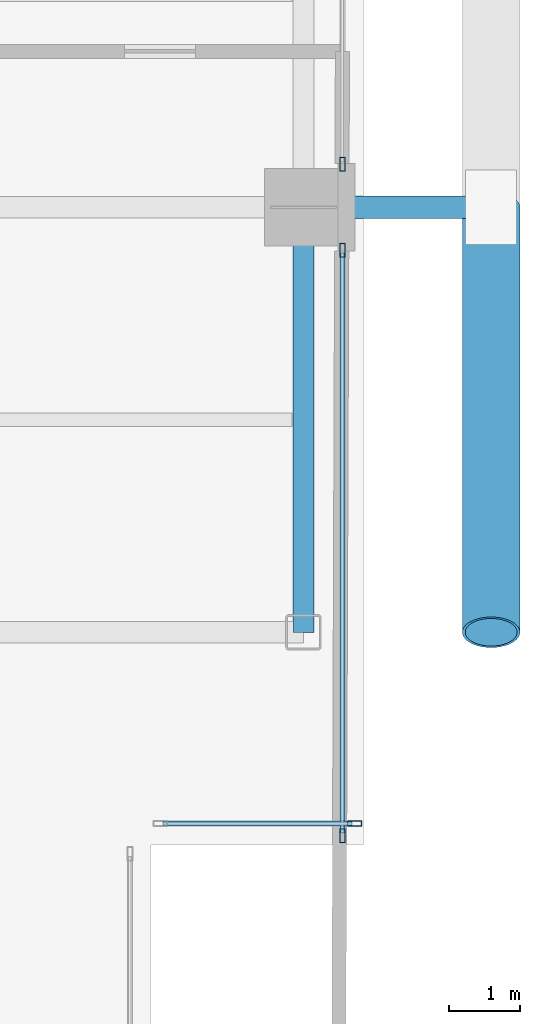
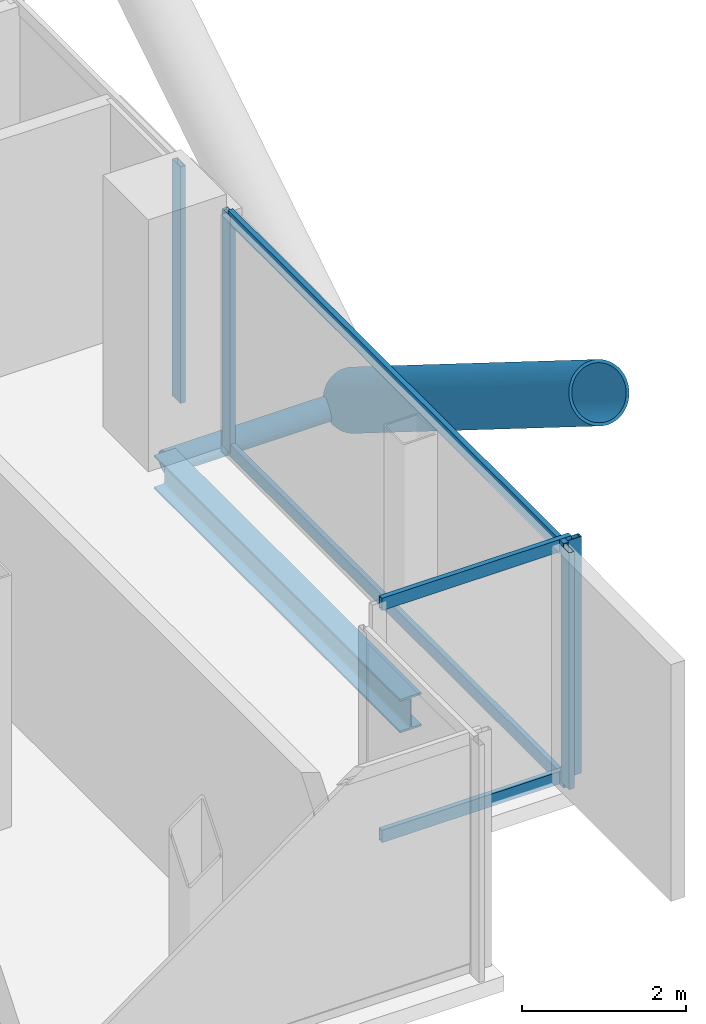
# One storey, part 11 of 24: 10 members, 1 beam, 3 elements without a shape of their own.
"""IFC4 building model written with IfcOpenShell, lengths in metres."""

from ifc_helpers import new_model, si_unit, direction, frame, origin, origin_2d, place, context, subcontext, project, spatial, hollow_rectangle, hollow_circle, i_section, extrude, material, layer, layer_set, material_profile, profile_set, type_object, element, aggregate, save


model = new_model("IFC4")

# Units and contexts
model_context = context("Model", 3, precision=1e-05, world=origin(), true_north=direction((0.0, 1.0)))
body_context = subcontext(model_context, "Body", "Model", "MODEL_VIEW")
ifc_project = project(units=[si_unit("LENGTHUNIT", "METRE"), si_unit("AREAUNIT", "SQUARE_METRE"), si_unit("VOLUMEUNIT", "CUBIC_METRE"), si_unit("PLANEANGLEUNIT", "RADIAN"), si_unit("MASSUNIT", "GRAM", prefix="KILO"), si_unit("THERMODYNAMICTEMPERATUREUNIT", "KELVIN"), si_unit("POWERUNIT", "WATT")], contexts=[model_context])

# Site, building, storey
site_placement = place(None, origin())
site = spatial("IfcSite", under=ifc_project, at=site_placement, CompositionType="ELEMENT")
building_placement = place(site_placement, origin())
building = spatial("IfcBuilding", under=site, at=building_placement, Name="Svarakhadi Broadcast Tower", CompositionType="ELEMENT")
storey_placement = place(building_placement, frame((0.0, 0.0, 115.64990234375)))
storey = spatial("IfcBuildingStorey", under=building, at=storey_placement, Name="L27", CompositionType="ELEMENT", Elevation=115.64990234375)

# Curtain wall, member
ifc_material_1 = material(Name="Anodised Bronze Aluminium AA 6063-T6", Category="aluminium")
ifc_layer = layer(ifc_material_1, 0.199951171875)
ifc_layer_set = layer_set([ifc_layer], Name="Anodised Bronze Aluminium AA 6063-T6")
curtain_wall_type = type_object("IfcCurtainWallType", Name="CW_Sys_03", PredefinedType="NOTDEFINED", material=ifc_layer_set)
curtain_wall_1_placement = place(storey_placement, origin())
curtain_wall_1 = element("IfcCurtainWall", 1, at=curtain_wall_1_placement, inside=storey, type_object=curtain_wall_type, Name="L27 Unitised Facade Curtain Wall 13 Bay 1", PredefinedType="NOTDEFINED")
ifc_material_profile_1 = material_profile(ifc_material_1, hollow_rectangle(XDim=0.074951171875, YDim=0.199951171875, WallThickness=0.005615234375, at=origin_2d()), Name="ALU MULLION 200x75x6")
ifc_profile_set_1 = profile_set([ifc_material_profile_1], Name="Anodised Bronze Aluminium AA 6063-T6")
member_type_1 = type_object("IfcMemberType", Name="CW_Sys_03_Mul", PredefinedType="MULLION", material=ifc_profile_set_1)
member_1_placement = place(storey_placement, frame((47.699951171875, 12.607421875, 0.0), z_axis=(0.0, 0.0, 1.0), x_axis=(1.0, 0.0, 0.0)))
member_1 = element("IfcMember", 2, at=member_1_placement, type_object=member_type_1, Name="CW-03 mullion 2", PredefinedType="MULLION", context=body_context, shape_type="SweptSolid", body=[
    extrude(hollow_rectangle(XDim=0.074951171875, YDim=0.199951171875, WallThickness=0.005615234375, at=origin_2d()), origin(), (0.0, 0.0, 1.0), 3.525146484375),
])
aggregate(curtain_wall_1, [member_1])

# Curtain wall, members
curtain_wall_2_placement = place(storey_placement, origin())
curtain_wall_2 = element("IfcCurtainWall", 3, at=curtain_wall_2_placement, inside=storey, type_object=curtain_wall_type, Name="L27 Unitised Facade Curtain Wall 13 Bay 2", PredefinedType="NOTDEFINED")
member_2_placement = place(storey_placement, frame((47.699951171875, 11.392578125, 0.0), z_axis=(0.0, 0.0, 1.0), x_axis=(1.0, 0.0, 0.0)))
member_2 = element("IfcMember", 4, at=member_2_placement, type_object=member_type_1, Name="CW-03 mullion 1", PredefinedType="MULLION", context=body_context, shape_type="SweptSolid", body=[
    extrude(hollow_rectangle(XDim=0.074951171875, YDim=0.199951171875, WallThickness=0.005615234375, at=origin_2d()), origin(), (0.0, 0.0, 1.0), 3.525146484375),
])
member_3_placement = place(storey_placement, frame((47.699951171875, 3.12744140625, 0.0), z_axis=(0.0, 0.0, 1.0), x_axis=(1.0, 0.0, 0.0)))
member_3 = element("IfcMember", 5, at=member_3_placement, type_object=member_type_1, Name="CW-03 mullion 2", PredefinedType="MULLION", context=body_context, shape_type="SweptSolid", body=[
    extrude(hollow_rectangle(XDim=0.074951171875, YDim=0.199951171875, WallThickness=0.005615234375, at=origin_2d()), origin(), (0.0, 0.0, 1.0), 3.525146484375),
])

# Curtain wall, member
curtain_wall_3_placement = place(storey_placement, origin())
curtain_wall_3 = element("IfcCurtainWall", 6, at=curtain_wall_3_placement, inside=storey, type_object=curtain_wall_type, Name="L27 Unitised Facade Curtain Wall 14", PredefinedType="NOTDEFINED")
member_4_placement = place(storey_placement, frame((47.87255859375, 3.300048828125, 0.0), z_axis=(0.0, 0.0, 1.0), x_axis=(0.0, -1.0, 0.0)))
member_4 = element("IfcMember", 7, at=member_4_placement, type_object=member_type_1, Name="CW-03 mullion 1", PredefinedType="MULLION", context=body_context, shape_type="SweptSolid", body=[
    extrude(hollow_rectangle(XDim=0.074951171875, YDim=0.199951171875, WallThickness=0.005615234375, at=origin_2d()), origin(), (0.0, 0.0, 1.0), 3.525146484375),
])

# Member
ifc_material_profile_2 = material_profile(ifc_material_1, hollow_rectangle(XDim=0.070068359375, YDim=0.18505859375, WallThickness=0.0048828125, at=origin_2d()), Name="ALU TRANSOM 185x70x5")
ifc_profile_set_2 = profile_set([ifc_material_profile_2], Name="Anodised Bronze Aluminium AA 6063-T6")
member_type_2 = type_object("IfcMemberType", Name="CW_Sys_03_Trn", PredefinedType="USERDEFINED", material=ifc_profile_set_2)
member_5_placement = place(storey_placement, frame((47.699951171875, 11.35498046875, 0.03515625), z_axis=(0.0, -1.0, 0.0), x_axis=(1.0, 0.0, 0.0)))
member_5 = element("IfcMember", 8, at=member_5_placement, type_object=member_type_2, Name="CW-03 transom 1.1", ObjectType="TRANSOM", PredefinedType="USERDEFINED", context=body_context, shape_type="SweptSolid", body=[
    extrude(hollow_rectangle(XDim=0.070068359375, YDim=0.18505859375, WallThickness=0.0048828125, at=origin_2d()), origin(), (0.0, 0.0, 1.0), 8.18994140625),
])

member_6_placement = place(storey_placement, frame((47.699951171875, 11.35498046875, 3.489990234375), z_axis=(0.0, -1.0, 0.0), x_axis=(1.0, 0.0, 0.0)))
member_6 = element("IfcMember", 9, at=member_6_placement, type_object=member_type_2, Name="CW-03 transom 1.2", ObjectType="TRANSOM", PredefinedType="USERDEFINED", context=body_context, shape_type="SweptSolid", body=[
    extrude(hollow_rectangle(XDim=0.070068359375, YDim=0.18505859375, WallThickness=0.0048828125, at=origin_2d()), origin(), (0.0, 0.0, 1.0), 8.18994140625),
])

aggregate(curtain_wall_2, [member_2, member_3, member_5, member_6])

member_7_placement = place(storey_placement, frame((47.8349609375, 3.300048828125, 0.03515625), z_axis=(-1.0, 0.0, 0.0), x_axis=(0.0, -1.0, 0.0)))
member_7 = element("IfcMember", 10, at=member_7_placement, type_object=member_type_2, Name="CW-03 transom 1.1", ObjectType="TRANSOM", PredefinedType="USERDEFINED", context=body_context, shape_type="SweptSolid", body=[
    extrude(hollow_rectangle(XDim=0.070068359375, YDim=0.18505859375, WallThickness=0.0048828125, at=origin_2d()), origin(), (0.0, 0.0, 1.0), 2.669921875),
])

member_8_placement = place(storey_placement, frame((47.8349609375, 3.300048828125, 3.489990234375), z_axis=(-1.0, 0.0, 0.0), x_axis=(0.0, -1.0, 0.0)))
member_8 = element("IfcMember", 11, at=member_8_placement, type_object=member_type_2, Name="CW-03 transom 1.2", ObjectType="TRANSOM", PredefinedType="USERDEFINED", context=body_context, shape_type="SweptSolid", body=[
    extrude(hollow_rectangle(XDim=0.070068359375, YDim=0.18505859375, WallThickness=0.0048828125, at=origin_2d()), origin(), (0.0, 0.0, 1.0), 2.669921875),
])

aggregate(curtain_wall_3, [member_4, member_7, member_8])

# Members
ifc_material_2 = material(Name="Steel S460ML (IS 2062 E450BR)", Category="steel")
ifc_material_profile_3 = material_profile(ifc_material_2, hollow_circle(Radius=0.406494140625, WallThickness=0.0400390625, at=origin_2d()), Name="CHS 813x40")
ifc_profile_set_3 = profile_set([ifc_material_profile_3], Name="Steel S460ML (IS 2062 E450BR)")
member_type_3 = type_object("IfcMemberType", Name="Exo_Brace_CHS813", PredefinedType="BRACE", material=ifc_profile_set_3)
member_9_placement = place(storey_placement, frame((49.800048828125, 12.0, -0.386962890625), z_axis=(0.0, -0.847998304005, 0.529998940003), x_axis=(1.0, 0.0, 0.0)))
element("IfcMember", 12, at=member_9_placement, inside=storey, type_object=member_type_3, Name="L27 Exposed Bronze Exoskeleton Diagonal E06", PredefinedType="BRACE", context=body_context, shape_type="SweptSolid", body=[
    extrude(hollow_circle(Radius=0.406494140625, WallThickness=0.0400390625, at=origin_2d()), origin(), (0.0, 0.0, 1.0), 7.075439453125),
])
ifc_material_profile_4 = material_profile(ifc_material_2, hollow_circle(Radius=0.161865234375, WallThickness=0.01611328125, at=origin_2d()), Name="CHS 323.9x16")
ifc_profile_set_4 = profile_set([ifc_material_profile_4], Name="Steel S460ML (IS 2062 E450BR)")
member_type_4 = type_object("IfcMemberType", Name="Exo_Radial_Strut_Z2", PredefinedType="STRUT", material=ifc_profile_set_4)
member_10_placement = place(storey_placement, frame((49.800048828125, 12.0, -0.386962890625), z_axis=(-1.0, 0.0, 0.0), x_axis=(0.0, -1.0, 0.0)))
element("IfcMember", 13, at=member_10_placement, inside=storey, type_object=member_type_4, Name="L27 Exoskeleton Radial Tie Strut E05", PredefinedType="STRUT", context=body_context, shape_type="SweptSolid", body=[
    extrude(hollow_circle(Radius=0.161865234375, WallThickness=0.01611328125, at=origin_2d()), origin(), (0.0, 0.0, 1.0), 2.650146484375),
])

# Beam
ifc_material_3 = material(Name="Steel S355J2 (IS 2062 E350C)", Category="steel")
ifc_material_profile_5 = material_profile(ifc_material_3, i_section(OverallWidth=0.300048828125, OverallDepth=0.5, WebThickness=0.014404296875, FlangeThickness=0.028076171875, FilletRadius=0.027099609375, at=origin_2d()), Name="WPB 500x300x187")
ifc_profile_set_5 = profile_set([ifc_material_profile_5], Name="Steel S355J2 (IS 2062 E350C)")
beam_type = type_object("IfcBeamType", Name="Girder_WPB500", PredefinedType="USERDEFINED", material=ifc_profile_set_5)
beam_placement = place(storey_placement, frame((47.14990234375, 6.0, -0.474853515625), z_axis=(0.0, 1.0, 0.0), x_axis=(-1.0, 0.0, 0.0)))
element("IfcBeam", 14, at=beam_placement, inside=storey, type_object=beam_type, Name="L27 Primary N-S Girder G073", ObjectType="GIRDER", PredefinedType="USERDEFINED", context=body_context, shape_type="SweptSolid", body=[
    extrude(i_section(OverallWidth=0.300048828125, OverallDepth=0.5, WebThickness=0.014404296875, FlangeThickness=0.028076171875, FilletRadius=0.027099609375, at=origin_2d()), origin(), (0.0, 0.0, 1.0), 6.0),
])

save(model, "model.ifc")
